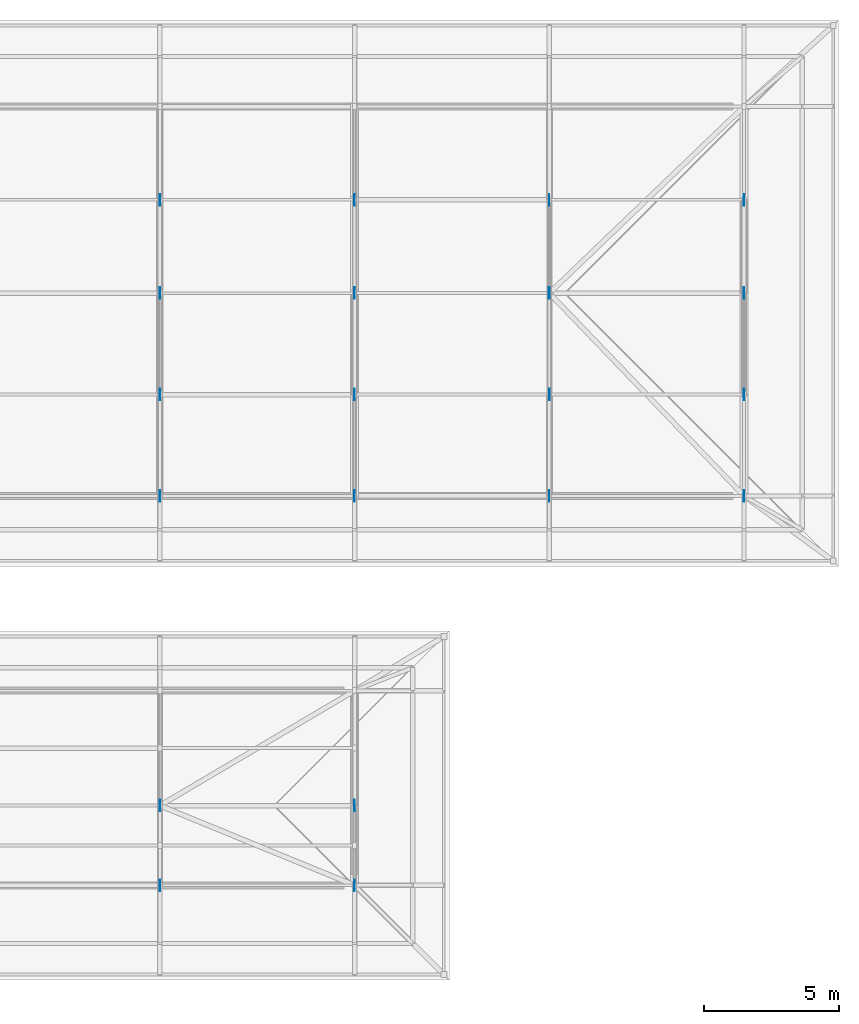
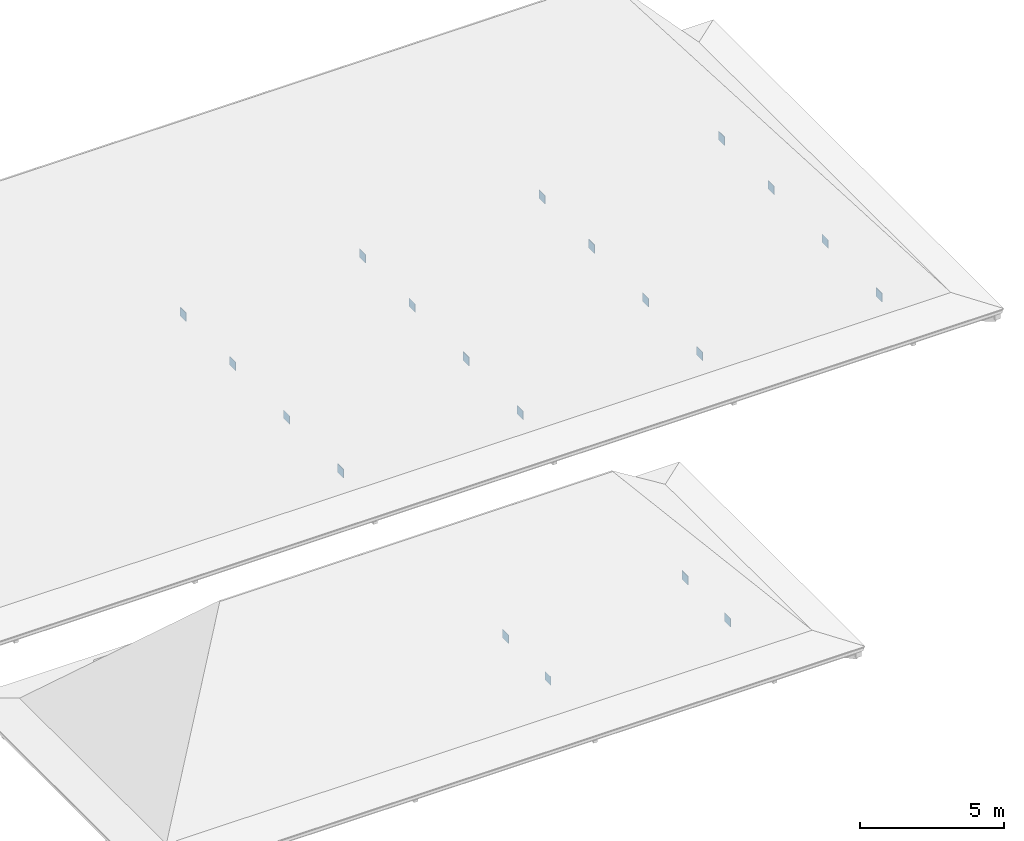
# One storey, part 10 of 12: 20 plates.
"""IFC4 building model written with IfcOpenShell, lengths in metres."""

from ifc_helpers import new_model, si_unit, direction, frame, origin, origin_2d, place, context, subcontext, project, spatial, rectangle, extrude, material, layer, layer_set, type_object, element, save


model = new_model("IFC4")

# Units and contexts
model_context = context("Model", 3, precision=1e-05, world=origin(), true_north=direction((0.0, 1.0)))
body_context = subcontext(model_context, "Body", "Model", "MODEL_VIEW")
ifc_project = project(units=[si_unit("LENGTHUNIT", "METRE"), si_unit("AREAUNIT", "SQUARE_METRE"), si_unit("VOLUMEUNIT", "CUBIC_METRE"), si_unit("PLANEANGLEUNIT", "RADIAN"), si_unit("MASSUNIT", "GRAM", prefix="KILO")], contexts=[model_context])

# Site, building, storey
site_placement = place(None, origin())
site = spatial("IfcSite", under=ifc_project, at=site_placement, CompositionType="ELEMENT")
building_placement = place(site_placement, origin())
building = spatial("IfcBuilding", under=site, at=building_placement, Name="Steenspoor Specialist Clinic", CompositionType="ELEMENT")
storey_placement = place(building_placement, frame((0.0, 0.0, 25.800048828125)))
storey = spatial("IfcBuildingStorey", under=building, at=storey_placement, Name="RF", CompositionType="ELEMENT", Elevation=25.800048828125)

# Plates
ifc_material = material(Name="Steel A572 Grade 50", Category="steel")
ifc_layer_1 = layer(ifc_material, 0.010009765625)
ifc_layer_set_1 = layer_set([ifc_layer_1], Name="Steel A572 Grade 50")
plate_type_1 = type_object("IfcPlateType", Name="PL-CAP-10", PredefinedType="SHEET", material=ifc_layer_set_1)
for number, where, z_axis, x_axis, name in (
    (1, (88.39990234375, 97.699951171875, 0.19970703125), (0.0, 0.0, 1.0), (1.0, 0.0, 0.0), "Truss Gusset Plate GP-10"),
    (2, (95.60009765625, 101.449951171875, 0.1513671875), (0.0, 0.0, 1.0), (1.0, 0.0, 0.0), "Truss Gusset Plate GP-10"),
    (3, (102.800048828125, 93.949951171875, 0.12841796875), (0.0, 0.0, 1.0), (1.0, 0.0, 0.0), "Truss Gusset Plate GP-10"),
    (4, (102.800048828125, 104.89990234375, 0.12841796875), (0.0, 0.0, 1.0), (1.0, 0.0, 0.0), "Truss Gusset Plate GP-10"),
    (5, (110.0, 97.699951171875, 0.09619140625), (0.0, 0.0, 1.0), (1.0, 0.0, 0.0), "Truss Gusset Plate GP-10"),
    (6, (88.39990234375, 79.550048828125, 0.12841796875), (0.0, 0.0, 1.0), (1.0, 0.0, 0.0), "Truss Gusset Plate GP-10"),
):
    element("IfcPlate", number, at=place(storey_placement, frame(where, z_axis=z_axis, x_axis=x_axis)), inside=storey, type_object=plate_type_1, Name=name, PredefinedType="SHEET", context=body_context, shape_type="SweptSolid", body=[
        extrude(rectangle(XDim=0.010009765625, YDim=0.419921875, at=origin_2d()), origin(), (0.0, 0.0, 1.0), 0.360107421875),
    ])
ifc_layer_2 = layer(ifc_material, 0.01611328125)
ifc_layer_set_2 = layer_set([ifc_layer_2], Name="Steel A572 Grade 50")
plate_type_2 = type_object("IfcPlateType", Name="PL-GUS-16", PredefinedType="SHEET", material=ifc_layer_set_2)
for number, where, z_axis, x_axis, name in (
    (7, (88.39990234375, 101.449951171875, 0.19970703125), (0.0, 0.0, 1.0), (1.0, 0.0, 0.0), "Truss Gusset Plate GP-16"),
    (8, (95.60009765625, 93.949951171875, 0.1513671875), (0.0, 0.0, 1.0), (1.0, 0.0, 0.0), "Truss Gusset Plate GP-16"),
    (9, (95.60009765625, 104.89990234375, 0.1513671875), (0.0, 0.0, 1.0), (1.0, 0.0, 0.0), "Truss Gusset Plate GP-16"),
    (10, (102.800048828125, 97.699951171875, 0.12841796875), (0.0, 0.0, 1.0), (1.0, 0.0, 0.0), "Truss Gusset Plate GP-16"),
    (11, (110.0, 101.449951171875, 0.09619140625), (0.0, 0.0, 1.0), (1.0, 0.0, 0.0), "Truss Gusset Plate GP-16"),
    (12, (88.39990234375, 82.5, 0.12841796875), (0.0, 0.0, 1.0), (1.0, 0.0, 0.0), "Truss Gusset Plate GP-16"),
    (13, (95.60009765625, 79.550048828125, 0.09619140625), (0.0, 0.0, 1.0), (1.0, 0.0, 0.0), "Truss Gusset Plate GP-16"),
):
    element("IfcPlate", number, at=place(storey_placement, frame(where, z_axis=z_axis, x_axis=x_axis)), inside=storey, type_object=plate_type_2, Name=name, PredefinedType="SHEET", context=body_context, shape_type="SweptSolid", body=[
        extrude(rectangle(XDim=0.01611328125, YDim=0.419921875, at=origin_2d()), origin(), (0.0, 0.0, 1.0), 0.360107421875),
    ])
ifc_layer_3 = layer(ifc_material, 0.02392578125)
ifc_layer_set_3 = layer_set([ifc_layer_3], Name="Steel A572 Grade 50")
plate_type_3 = type_object("IfcPlateType", Name="PL-GUS-24", PredefinedType="SHEET", material=ifc_layer_set_3)
for number, where, z_axis, x_axis, name in (
    (14, (88.39990234375, 93.949951171875, 0.19970703125), (0.0, 0.0, 1.0), (1.0, 0.0, 0.0), "Truss Gusset Plate GP-24"),
    (15, (88.39990234375, 104.89990234375, 0.19970703125), (0.0, 0.0, 1.0), (1.0, 0.0, 0.0), "Truss Gusset Plate GP-24"),
    (16, (95.60009765625, 97.699951171875, 0.1513671875), (0.0, 0.0, 1.0), (1.0, 0.0, 0.0), "Truss Gusset Plate GP-24"),
    (17, (102.800048828125, 101.449951171875, 0.12841796875), (0.0, 0.0, 1.0), (1.0, 0.0, 0.0), "Truss Gusset Plate GP-24"),
    (18, (110.0, 93.949951171875, 0.09619140625), (0.0, 0.0, 1.0), (1.0, 0.0, 0.0), "Truss Gusset Plate GP-24"),
    (19, (110.0, 104.89990234375, 0.09619140625), (0.0, 0.0, 1.0), (1.0, 0.0, 0.0), "Truss Gusset Plate GP-24"),
    (20, (95.60009765625, 82.5, 0.09619140625), (0.0, 0.0, 1.0), (1.0, 0.0, 0.0), "Truss Gusset Plate GP-24"),
):
    element("IfcPlate", number, at=place(storey_placement, frame(where, z_axis=z_axis, x_axis=x_axis)), inside=storey, type_object=plate_type_3, Name=name, PredefinedType="SHEET", context=body_context, shape_type="SweptSolid", body=[
        extrude(rectangle(XDim=0.02392578125, YDim=0.419921875, at=origin_2d()), origin(), (0.0, 0.0, 1.0), 0.360107421875),
    ])

save(model, "model.ifc")
